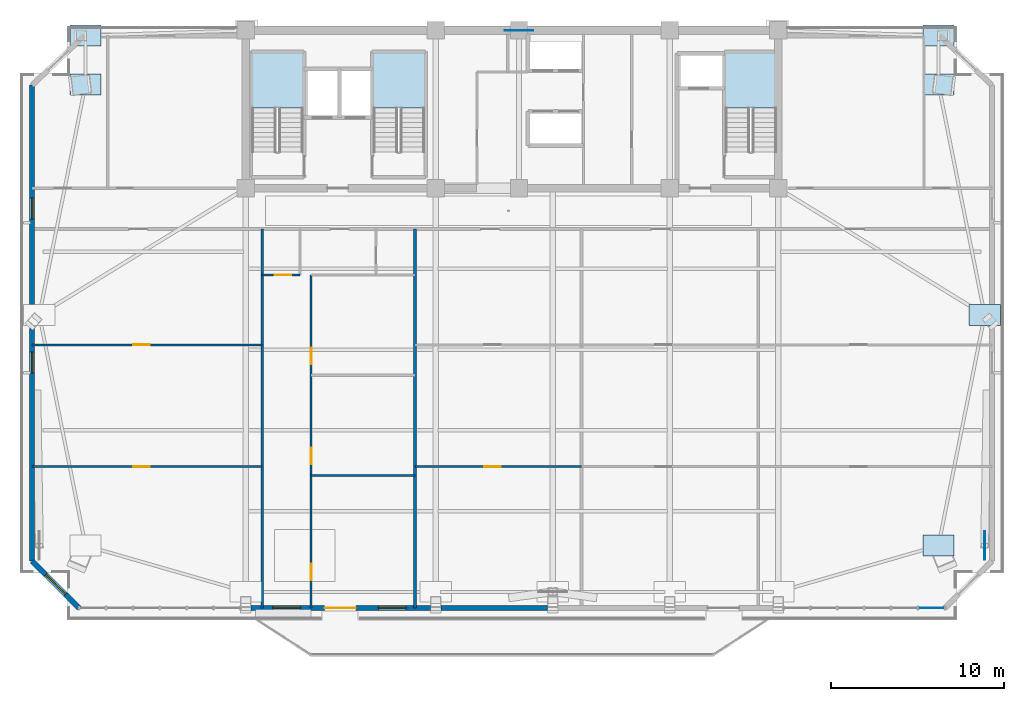
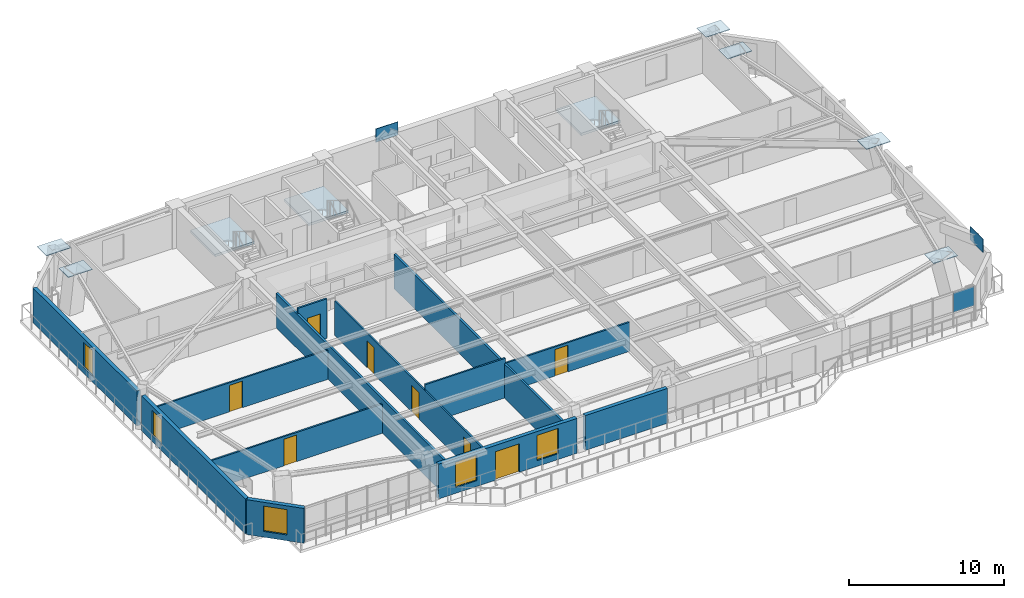
# One storey, part 8 of 16: 13 walls, 9 plates, 8 doors, 5 windows, 3 slabs, 13 openings, 4 elements without a shape of their own.
"""IFC4 building model written with IfcOpenShell, lengths in metres."""

from ifc_helpers import new_model, si_unit, direction, frame, frame_2d, origin, origin_2d, place, context, subcontext, project, spatial, polyline, rectangle, outline, extrude, source, transform, mapped, material, layer, layer_set, type_object, element, fill, aggregate, save


model = new_model("IFC4")

# Units and contexts
model_context = context("Model", 3, precision=1e-05, world=origin(), true_north=direction((0.0, 1.0)))
body_context = subcontext(model_context, "Body", "Model", "MODEL_VIEW")
ifc_project = project(units=[si_unit("LENGTHUNIT", "METRE"), si_unit("AREAUNIT", "SQUARE_METRE"), si_unit("VOLUMEUNIT", "CUBIC_METRE"), si_unit("PLANEANGLEUNIT", "RADIAN"), si_unit("MASSUNIT", "GRAM", prefix="KILO")], contexts=[model_context])

# Site, building, storey
site_placement = place(None, origin())
site = spatial("IfcSite", under=ifc_project, at=site_placement, CompositionType="ELEMENT")
building_placement = place(site_placement, origin())
building = spatial("IfcBuilding", under=site, at=building_placement, Name="Giltprow Tower", CompositionType="ELEMENT")
storey_placement = place(building_placement, frame((0.0, 0.0, 233.800048828125)))
storey = spatial("IfcBuildingStorey", under=building, at=storey_placement, Name="L59", CompositionType="ELEMENT", Elevation=233.800048828125)

# Stair, slab
ifc_material_1 = material(Name="Concrete C40", Category="concrete")
stair_type_1 = type_object("IfcStairType", Name="STR-ST-1", PredefinedType="HALF_TURN_STAIR", material=ifc_material_1)
stair_1_placement = place(storey_placement, origin())
stair_1 = element("IfcStair", 1, at=stair_1_placement, inside=storey, type_object=stair_type_1, Name="L59 Core Exit Stair ST-1", PredefinedType="HALF_TURN_STAIR")
ifc_layer_1 = layer(ifc_material_1, 0.179931640625, Name="Concrete C40")
ifc_layer_set_1 = layer_set([ifc_layer_1], Name="Concrete C40")
slab_type_1 = type_object("IfcSlabType", Name="SLD-ST-1", PredefinedType="LANDING", material=ifc_layer_set_1)
slab_1_placement = place(storey_placement, frame((0.0, 0.0, 1.52001953125)))
slab_1 = element("IfcSlab", 2, at=slab_1_placement, type_object=slab_type_1, Name="ST-1 landing 1", PredefinedType="LANDING", context=body_context, shape_type="SweptSolid", body=[
    extrude(outline(polyline([(23.159912109375, 42.070068359375), (23.159912109375, 45.25), (20.199951171875, 45.25), (20.199951171875, 42.070068359375), (23.159912109375, 42.070068359375)])), origin(), (0.0, 0.0, 1.0), 0.179931640625),
])
aggregate(stair_1, [slab_1])

stair_type_2 = type_object("IfcStairType", Name="STR-ST-2", PredefinedType="HALF_TURN_STAIR", material=ifc_material_1)
stair_2_placement = place(storey_placement, origin())
stair_2 = element("IfcStair", 3, at=stair_2_placement, inside=storey, type_object=stair_type_2, Name="L59 Core Exit Stair ST-2", PredefinedType="HALF_TURN_STAIR")
ifc_layer_2 = layer(ifc_material_1, 0.18798828125, Name="Concrete C40")
ifc_layer_set_2 = layer_set([ifc_layer_2], Name="Concrete C40")
slab_type_2 = type_object("IfcSlabType", Name="SLD-ST-2", PredefinedType="LANDING", material=ifc_layer_set_2)
slab_2_placement = place(storey_placement, frame((0.0, 0.0, 1.511962890625)))
slab_2 = element("IfcSlab", 4, at=slab_2_placement, type_object=slab_type_2, Name="ST-2 landing 1", PredefinedType="LANDING", context=body_context, shape_type="SweptSolid", body=[
    extrude(outline(polyline([(30.159912109375, 42.070068359375), (30.159912109375, 45.25), (27.199951171875, 45.25), (27.199951171875, 42.070068359375), (30.159912109375, 42.070068359375)])), origin(), (0.0, 0.0, 1.0), 0.18798828125),
])
aggregate(stair_2, [slab_2])

stair_type_3 = type_object("IfcStairType", Name="STR-ST-3", PredefinedType="HALF_TURN_STAIR", material=ifc_material_1)
stair_3_placement = place(storey_placement, origin())
stair_3 = element("IfcStair", 5, at=stair_3_placement, inside=storey, type_object=stair_type_3, Name="L59 Core Exit Stair ST-3", PredefinedType="HALF_TURN_STAIR")
ifc_layer_3 = layer(ifc_material_1, 0.196044921875, Name="Concrete C40")
ifc_layer_set_3 = layer_set([ifc_layer_3], Name="Concrete C40")
slab_type_3 = type_object("IfcSlabType", Name="SLD-ST-3", PredefinedType="LANDING", material=ifc_layer_set_3)
slab_3_placement = place(storey_placement, frame((0.0, 0.0, 1.50390625)))
slab_3 = element("IfcSlab", 6, at=slab_3_placement, type_object=slab_type_3, Name="ST-3 landing 1", PredefinedType="LANDING", context=body_context, shape_type="SweptSolid", body=[
    extrude(outline(polyline([(50.4599609375, 42.070068359375), (50.4599609375, 45.25), (47.5, 45.25), (47.5, 42.070068359375), (50.4599609375, 42.070068359375)])), origin(), (0.0, 0.0, 1.0), 0.196044921875),
])
aggregate(stair_3, [slab_3])

# Plates
ifc_material_2 = material(Name="Structural steel Q420GJC", Category="steel")
plate_type_1 = type_object("IfcPlateType", Name="PLT-NODE-CKN1", PredefinedType="USERDEFINED", material=ifc_material_2)
shared_shape_1 = source(origin(), body_context, "Body", "SweptSolid", [
    extrude(rectangle(XDim=1.800048828125, YDim=1.199951171875, at=origin_2d()), origin(), (0.0, 0.0, 1.0), 0.044921875),
])
for number, where, z_axis, x_axis, name in (
    (7, (59.791015625, 16.843017578125, 3.077392578125), (0.0, 0.0, 1.0), (1.0, 0.0, 0.0), "CKN1 Column Taper Splice Node L59-MC_SE"),
    (8, (10.60888671875, 43.43896484375, 3.077392578125), (0.0, 0.0, 1.0), (1.0, 0.0, 0.0), "CKN1 Column Taper Splice Node L59-MC_NW"),
    (9, (59.791015625, 43.43896484375, 3.077392578125), (0.0, 0.0, 1.0), (1.0, 0.0, 0.0), "CKN1 Column Taper Splice Node L59-MC_NE"),
    (10, (62.451904296875, 30.14111328125, 3.077392578125), (0.0, 0.0, 1.0), (1.0, 0.0, 0.0), "CKN1 Column Taper Splice Node L59-E_MID"),
    (11, (10.60888671875, 46.25, 3.077392578125), (0.0, 0.0, 1.0), (1.0, 0.0, 0.0), "CKN1 Column Taper Splice Node L59-N_W"),
    (12, (59.791015625, 46.25, 3.077392578125), (0.0, 0.0, 1.0), (1.0, 0.0, 0.0), "CKN1 Column Taper Splice Node L59-N_E"),
):
    element("IfcPlate", number, at=place(storey_placement, frame(where, z_axis=z_axis, x_axis=x_axis)), inside=storey, type_object=plate_type_1, Name=name, ObjectType="SPLICE", PredefinedType="USERDEFINED", context=body_context, shape_type="MappedRepresentation", body=[
        mapped(shared_shape_1, transform((0.0, 0.0, 0.0), x_axis=(1.0, 0.0, 0.0), y_axis=(0.0, 1.0, 0.0), z_axis=(0.0, 0.0, 1.0), scale=1.0)),
    ])
plate_type_2 = type_object("IfcPlateType", Name="PLT-NODE-MBN2", PredefinedType="USERDEFINED", material=ifc_material_2)
shared_shape_2 = source(origin(), body_context, "Body", "SweptSolid", [
    extrude(rectangle(XDim=1.64990234375, YDim=0.044921875, at=origin_2d()), origin(), (0.0, 0.0, 1.0), 1.050048828125),
])
for number, where, z_axis, x_axis, name in (
    (13, (35.60009765625, 46.550048828125, 2.73486328125), (0.0, 0.0, 1.0), (1.0, 0.0, 0.0), "Mega-Brace Node L59-N-LB"),
    (14, (62.451904296875, 16.843017578125, 2.875), (0.0, 0.0, 1.0), (0.0, 1.0, 0.0), "Mega-Brace Node L59-E-DB"),
):
    element("IfcPlate", number, at=place(storey_placement, frame(where, z_axis=z_axis, x_axis=x_axis)), inside=storey, type_object=plate_type_2, Name=name, ObjectType="GUSSET", PredefinedType="USERDEFINED", context=body_context, shape_type="MappedRepresentation", body=[
        mapped(shared_shape_2, transform((0.0, 0.0, 0.0), x_axis=(1.0, 0.0, 0.0), y_axis=(0.0, 1.0, 0.0), z_axis=(0.0, 0.0, 1.0), scale=1.0)),
    ])

# Curtain wall, plate
ifc_material_3 = material(Name="Anodized bronze", Category="metal")
ifc_layer_4 = layer(ifc_material_3, 0.179931640625, Name="Anodized bronze")
ifc_layer_set_4 = layer_set([ifc_layer_4], Name="Anodized bronze")
curtain_wall_type = type_object("IfcCurtainWallType", Name="CW-RES-SKY", PredefinedType="NOTDEFINED", material=ifc_layer_set_4)
curtain_wall_placement = place(storey_placement, origin())
curtain_wall = element("IfcCurtainWall", 15, at=curtain_wall_placement, inside=storey, type_object=curtain_wall_type, Name="L59 South Recessed Curtain Wall 6", PredefinedType="NOTDEFINED")
ifc_material_4 = material(Name="Insulated glass", Category="glass")
plate_type_3 = type_object("IfcPlateType", Name="CW-PANEL-IGU-28", PredefinedType="CURTAIN_PANEL", material=ifc_material_4)
shared_shape_3 = source(origin(), body_context, "Body", "SweptSolid", [
    extrude(rectangle(XDim=1.52197265625, YDim=0.028076171875, at=origin_2d()), origin(), (0.0, 0.0, 1.0), 1.527099609375),
])
plate_placement = place(storey_placement, frame((59.384033203125, 13.25, 1.16943359375), z_axis=(0.0, 0.0, 1.0), x_axis=(1.0, 0.0, 0.0)))
plate = element("IfcPlate", 16, at=plate_placement, type_object=plate_type_3, Name="L59 South Recessed Curtain Wall 6 Glazing Panel 6-2", PredefinedType="CURTAIN_PANEL", context=body_context, shape_type="MappedRepresentation", body=[
    mapped(shared_shape_3, transform((0.0, 0.0, 0.0), x_axis=(1.0, 0.0, 0.0), y_axis=(0.0, 1.0, 0.0), z_axis=(0.0, 0.0, 1.0), scale=1.0)),
])
aggregate(curtain_wall, [plate])

# Wall, opening, window
ifc_material_5 = material(Name="Precast concrete C40", Category="concrete")
ifc_layer_5 = layer(ifc_material_5, 0.300048828125, Name="Precast concrete C40")
ifc_layer_set_5 = layer_set([ifc_layer_5], Name="Precast concrete C40")
wall_type_1 = type_object("IfcWallType", Name="EW-NOTCH-CHAMFER-300", PredefinedType="SOLIDWALL", material=ifc_layer_set_5)
wall_1_placement = place(storey_placement, frame((7.532958984375, 15.95703125, 0.0), z_axis=(0.0, 0.0, 1.0), x_axis=(0.707106781187, -0.707106781187, 0.0)))
wall_1 = element("IfcWall", 17, at=wall_1_placement, inside=storey, type_object=wall_type_1, Name="L59 Corner Notch Wall SW", PredefinedType="SOLIDWALL", context=body_context, shape_type="SweptSolid", body=[
    extrude(rectangle(XDim=3.828369140625, YDim=0.300048828125, at=frame_2d((1.9140625, 0.0))), origin(), (0.0, 0.0, 1.0), 2.75),
])
opening_1_placement = place(wall_1_placement, frame((1.114013671875, 0.0, 0.449951171875)))
opening_1 = element("IfcOpeningElement", 18, at=opening_1_placement, cuts=wall_1, Name="Opening WN17", PredefinedType="OPENING", context=body_context, shape_type="SweptSolid", body=[
    extrude(rectangle(XDim=1.60009765625, YDim=2.0, at=frame_2d((0.800048828125, 1.0))), frame((0.0, 0.159912109375, 0.0), z_axis=(0.0, -1.0, 0.0), x_axis=(1.0, 0.0, 0.0)), (0.0, 0.0, 1.0), 0.320068359375),
])
window_type_1 = type_object("IfcWindowType", Name="WN-COR-1600x2000", PartitioningType="SINGLE_PANEL", PredefinedType="WINDOW", material=ifc_material_4)
shared_shape_4 = source(origin(), body_context, "Body", "SweptSolid", [
    extrude(rectangle(XDim=1.60009765625, YDim=2.0, at=frame_2d((0.800048828125, 1.0))), frame((0.0, 0.030029296875, 0.0), z_axis=(0.0, -1.0, 0.0), x_axis=(1.0, 0.0, 0.0)), (0.0, 0.0, 1.0), 0.06005859375),
])
window_1_placement = place(opening_1_placement, origin())
window_1 = element("IfcWindow", 19, at=window_1_placement, inside=storey, type_object=window_type_1, Name="L59 Corner Notch Window SW", OverallHeight=2.0, OverallWidth=1.60009765625, PartitioningType="SINGLE_PANEL", PredefinedType="WINDOW", context=body_context, shape_type="MappedRepresentation", body=[
    mapped(shared_shape_4, transform((0.0, 0.0, 0.0), x_axis=(1.0, 0.0, 0.0), y_axis=(0.0, 1.0, 0.0), z_axis=(0.0, 0.0, 1.0), scale=1.0)),
])
fill(opening_1, window_1)

# Wall, openings, windows, door
ifc_layer_6 = layer(ifc_material_5, 0.280029296875, Name="Precast concrete C40")
ifc_layer_set_6 = layer_set([ifc_layer_6], Name="Precast concrete C40")
wall_type_2 = type_object("IfcWallType", Name="EW-TOW-BRONZE-280", PredefinedType="SOLIDWALL", material=ifc_layer_set_6)
wall_2_placement = place(storey_placement, frame((20.14990234375, 13.25, 0.0), z_axis=(0.0, 0.0, 1.0), x_axis=(1.0, 0.0, 0.0)))
wall_2 = element("IfcWall", 20, at=wall_2_placement, inside=storey, type_object=wall_type_2, Name="L59 South Expressed Frame Wall 2", PredefinedType="SOLIDWALL", context=body_context, shape_type="SweptSolid", body=[
    extrude(rectangle(XDim=10.35009765625, YDim=0.280029296875, at=frame_2d((5.175048828125, 0.0))), origin(), (0.0, 0.0, 1.0), 2.75),
])
opening_2_placement = place(wall_2_placement, frame((4.25, 0.0, 0.0)))
opening_2 = element("IfcOpeningElement", 21, at=opening_2_placement, cuts=wall_2, Name="Opening ED25", PredefinedType="OPENING", context=body_context, shape_type="SweptSolid", body=[
    extrude(rectangle(XDim=1.800048828125, YDim=2.25, at=frame_2d((0.89990234375, 1.125))), frame((0.0, 0.14990234375, 0.0), z_axis=(0.0, -1.0, 0.0), x_axis=(1.0, 0.0, 0.0)), (0.0, 0.0, 1.0), 0.300048828125),
])
opening_3_placement = place(wall_2_placement, frame((1.27001953125, 0.0, 0.449951171875)))
opening_3 = element("IfcOpeningElement", 22, at=opening_3_placement, cuts=wall_2, Name="Opening WN17", PredefinedType="OPENING", context=body_context, shape_type="SweptSolid", body=[
    extrude(rectangle(XDim=1.60009765625, YDim=2.0, at=frame_2d((0.800048828125, 1.0))), frame((0.0, 0.14990234375, 0.0), z_axis=(0.0, -1.0, 0.0), x_axis=(1.0, 0.0, 0.0)), (0.0, 0.0, 1.0), 0.300048828125),
])
opening_4_placement = place(wall_2_placement, frame((7.35009765625, 0.0, 0.449951171875)))
opening_4 = element("IfcOpeningElement", 23, at=opening_4_placement, cuts=wall_2, Name="Opening WN17", PredefinedType="OPENING", context=body_context, shape_type="SweptSolid", body=[
    extrude(rectangle(XDim=1.60009765625, YDim=2.0, at=frame_2d((0.800048828125, 1.0))), frame((0.0, 0.14990234375, 0.0), z_axis=(0.0, -1.0, 0.0), x_axis=(1.0, 0.0, 0.0)), (0.0, 0.0, 1.0), 0.300048828125),
])
window_2_placement = place(opening_3_placement, origin())
window_2 = element("IfcWindow", 24, at=window_2_placement, inside=storey, type_object=window_type_1, Name="L59 South Window 2A", OverallHeight=2.0, OverallWidth=1.60009765625, PartitioningType="SINGLE_PANEL", PredefinedType="WINDOW", context=body_context, shape_type="MappedRepresentation", body=[
    mapped(shared_shape_4, transform((0.0, 0.0, 0.0), x_axis=(1.0, 0.0, 0.0), y_axis=(0.0, 1.0, 0.0), z_axis=(0.0, 0.0, 1.0), scale=1.0)),
])
fill(opening_3, window_2)
window_3_placement = place(opening_4_placement, origin())
window_3 = element("IfcWindow", 25, at=window_3_placement, inside=storey, type_object=window_type_1, Name="L59 South Window 2B", OverallHeight=2.0, OverallWidth=1.60009765625, PartitioningType="SINGLE_PANEL", PredefinedType="WINDOW", context=body_context, shape_type="MappedRepresentation", body=[
    mapped(shared_shape_4, transform((0.0, 0.0, 0.0), x_axis=(1.0, 0.0, 0.0), y_axis=(0.0, 1.0, 0.0), z_axis=(0.0, 0.0, 1.0), scale=1.0)),
])
fill(opening_4, window_3)
ifc_material_6 = material(Name="Anodized bronze and glass", Category="glass")
door_type_1 = type_object("IfcDoorType", Name="DR-BALC-SLIDE-1800", OperationType="SLIDING_TO_LEFT", PredefinedType="DOOR", material=ifc_material_6)
shared_shape_5 = source(origin(), body_context, "Body", "SweptSolid", [
    extrude(rectangle(XDim=1.800048828125, YDim=2.25, at=frame_2d((0.89990234375, 1.125))), frame((0.0, 0.02490234375, 0.0), z_axis=(0.0, -1.0, 0.0), x_axis=(1.0, 0.0, 0.0)), (0.0, 0.0, 1.0), 0.050048828125),
])
door_1_placement = place(opening_2_placement, origin())
door_1 = element("IfcDoor", 26, at=door_1_placement, inside=storey, type_object=door_type_1, Name="L59 Waterfront Balcony Sliding Door 1", OperationType="SLIDING_TO_LEFT", OverallHeight=2.25, OverallWidth=1.800048828125, PredefinedType="DOOR", context=body_context, shape_type="MappedRepresentation", body=[
    mapped(shared_shape_5, transform((0.0, 0.0, 0.0), x_axis=(1.0, 0.0, 0.0), y_axis=(0.0, 1.0, 0.0), z_axis=(0.0, 0.0, 1.0), scale=1.0)),
])
fill(opening_2, door_1)

# Wall
wall_3_placement = place(storey_placement, frame((31.10009765625, 13.25, 0.0), z_axis=(0.0, 0.0, 1.0), x_axis=(1.0, 0.0, 0.0)))
element("IfcWall", 27, at=wall_3_placement, inside=storey, type_object=wall_type_2, Name="L59 South Expressed Frame Wall 3", PredefinedType="SOLIDWALL", context=body_context, shape_type="SweptSolid", body=[
    extrude(rectangle(XDim=6.14990234375, YDim=0.280029296875, at=frame_2d((3.074951171875, 0.0))), origin(), (0.0, 0.0, 1.0), 2.75),
])

# Wall, opening, window
wall_4_placement = place(storey_placement, frame((7.532958984375, 15.95703125, 0.0), z_axis=(0.0, 0.0, 1.0), x_axis=(0.0, 1.0, 0.0)))
wall_4 = element("IfcWall", 28, at=wall_4_placement, inside=storey, type_object=wall_type_2, Name="L59 W Wing Masonry Wall 1", PredefinedType="SOLIDWALL", context=body_context, shape_type="SweptSolid", body=[
    extrude(rectangle(XDim=13.41796875, YDim=0.280029296875, at=frame_2d((6.708984375, 0.0))), origin(), (0.0, 0.0, 1.0), 2.75),
])
opening_5_placement = place(wall_4_placement, frame((10.837890625, 0.0, 0.449951171875)))
opening_5 = element("IfcOpeningElement", 29, at=opening_5_placement, cuts=wall_4, Name="Opening WN11", PredefinedType="OPENING", context=body_context, shape_type="SweptSolid", body=[
    extrude(rectangle(XDim=1.199951171875, YDim=2.0, at=frame_2d((0.60009765625, 1.0))), frame((0.0, 0.14990234375, 0.0), z_axis=(0.0, -1.0, 0.0), x_axis=(1.0, 0.0, 0.0)), (0.0, 0.0, 1.0), 0.300048828125),
])
window_type_2 = type_object("IfcWindowType", Name="WN-LANCET-1200x2000", PartitioningType="SINGLE_PANEL", PredefinedType="WINDOW", material=ifc_material_4)
shared_shape_6 = source(origin(), body_context, "Body", "SweptSolid", [
    extrude(rectangle(XDim=1.199951171875, YDim=2.0, at=frame_2d((0.60009765625, 1.0))), frame((0.0, 0.030029296875, 0.0), z_axis=(0.0, -1.0, 0.0), x_axis=(1.0, 0.0, 0.0)), (0.0, 0.0, 1.0), 0.06005859375),
])
window_4_placement = place(opening_5_placement, origin())
window_4 = element("IfcWindow", 30, at=window_4_placement, inside=storey, type_object=window_type_2, Name="L59 W Wing Window 1-1", OverallHeight=2.0, OverallWidth=1.199951171875, PartitioningType="SINGLE_PANEL", PredefinedType="WINDOW", context=body_context, shape_type="MappedRepresentation", body=[
    mapped(shared_shape_6, transform((0.0, 0.0, 0.0), x_axis=(1.0, 0.0, 0.0), y_axis=(0.0, 1.0, 0.0), z_axis=(0.0, 0.0, 1.0), scale=1.0)),
])
fill(opening_5, window_4)

wall_5_placement = place(storey_placement, frame((7.532958984375, 29.97509765625, 0.0), z_axis=(0.0, 0.0, 1.0), x_axis=(0.0, 1.0, 0.0)))
wall_5 = element("IfcWall", 31, at=wall_5_placement, inside=storey, type_object=wall_type_2, Name="L59 W Wing Masonry Wall 2", PredefinedType="SOLIDWALL", context=body_context, shape_type="SweptSolid", body=[
    extrude(rectangle(XDim=13.41796875, YDim=0.280029296875, at=frame_2d((6.708984375, 0.0))), origin(), (0.0, 0.0, 1.0), 2.75),
])
opening_6_placement = place(wall_5_placement, frame((5.705078125, 0.0, 0.449951171875)))
opening_6 = element("IfcOpeningElement", 32, at=opening_6_placement, cuts=wall_5, Name="Opening WN11", PredefinedType="OPENING", context=body_context, shape_type="SweptSolid", body=[
    extrude(rectangle(XDim=1.199951171875, YDim=2.0, at=frame_2d((0.60009765625, 1.0))), frame((0.0, 0.14990234375, 0.0), z_axis=(0.0, -1.0, 0.0), x_axis=(1.0, 0.0, 0.0)), (0.0, 0.0, 1.0), 0.300048828125),
])
window_5_placement = place(opening_6_placement, origin())
window_5 = element("IfcWindow", 33, at=window_5_placement, inside=storey, type_object=window_type_2, Name="L59 W Wing Window 2-1", OverallHeight=2.0, OverallWidth=1.199951171875, PartitioningType="SINGLE_PANEL", PredefinedType="WINDOW", context=body_context, shape_type="MappedRepresentation", body=[
    mapped(shared_shape_6, transform((0.0, 0.0, 0.0), x_axis=(1.0, 0.0, 0.0), y_axis=(0.0, 1.0, 0.0), z_axis=(0.0, 0.0, 1.0), scale=1.0)),
])
fill(opening_6, window_5)

# Walls
ifc_material_7 = material(Name="Gypsum stud partition", Category="gypsum")
ifc_layer_7 = layer(ifc_material_7, 0.159912109375, Name="Gypsum stud partition")
ifc_layer_set_7 = layer_set([ifc_layer_7], Name="Gypsum stud partition")
wall_type_3 = type_object("IfcWallType", Name="IW-DEMISE-160", PredefinedType="PARTITIONING", material=ifc_layer_set_7)
for number, where, z_axis, x_axis, name in (
    (34, (20.800048828125, 13.25, 0.0), (0.0, 0.0, 1.0), (0.0, 1.0, 0.0), "L59 Apartment Party Wall 1"),
    (35, (29.60009765625, 13.25, 0.0), (0.0, 0.0, 1.0), (0.0, 1.0, 0.0), "L59 Apartment Party Wall 2"),
):
    element("IfcWall", number, at=place(storey_placement, frame(where, z_axis=z_axis, x_axis=x_axis)), inside=storey, type_object=wall_type_3, Name=name, PredefinedType="PARTITIONING", context=body_context, shape_type="SweptSolid", body=[
        extrude(rectangle(XDim=21.85009765625, YDim=0.159912109375, at=frame_2d((10.925048828125, 0.0))), origin(), (0.0, 0.0, 1.0), 2.704833984375),
    ])

# Wall, opening, door
ifc_layer_8 = layer(ifc_material_7, 0.1201171875, Name="Gypsum stud partition")
ifc_layer_set_8 = layer_set([ifc_layer_8], Name="Gypsum stud partition")
wall_type_4 = type_object("IfcWallType", Name="IW-ROOM-120", PredefinedType="PARTITIONING", material=ifc_layer_set_8)
wall_6_placement = place(storey_placement, frame((7.532958984375, 21.39892578125, 0.0), z_axis=(0.0, 0.0, 1.0), x_axis=(1.0, 0.0, 0.0)))
wall_6 = element("IfcWall", 36, at=wall_6_placement, inside=storey, type_object=wall_type_4, Name="L59 Special Split 1", PredefinedType="PARTITIONING", context=body_context, shape_type="SweptSolid", body=[
    extrude(rectangle(XDim=13.26708984375, YDim=0.1201171875, at=frame_2d((6.633544921875, 0.0))), origin(), (0.0, 0.0, 1.0), 2.304931640625),
])
opening_7_placement = place(wall_6_placement, frame((5.842041015625, 0.0, 0.0)))
opening_7 = element("IfcOpeningElement", 37, at=opening_7_placement, cuts=wall_6, Name="Opening ID11", PredefinedType="OPENING", context=body_context, shape_type="SweptSolid", body=[
    extrude(rectangle(XDim=0.949951171875, YDim=2.10009765625, at=frame_2d((0.47509765625, 1.050048828125))), frame((0.0, 0.070068359375, 0.0), z_axis=(0.0, -1.0, 0.0), x_axis=(1.0, 0.0, 0.0)), (0.0, 0.0, 1.0), 0.14013671875),
])
ifc_material_8 = material(Name="Engineered timber", Category="wood")
door_type_2 = type_object("IfcDoorType", Name="DR-ROOM-950", OperationType="SINGLE_SWING_RIGHT", PredefinedType="DOOR", material=ifc_material_8)
shared_shape_7 = source(origin(), body_context, "Body", "SweptSolid", [
    extrude(rectangle(XDim=0.949951171875, YDim=2.10009765625, at=frame_2d((0.47509765625, 1.050048828125))), frame((0.0, 0.02490234375, 0.0), z_axis=(0.0, -1.0, 0.0), x_axis=(1.0, 0.0, 0.0)), (0.0, 0.0, 1.0), 0.050048828125),
])
door_2_placement = place(opening_7_placement, origin())
door_2 = element("IfcDoor", 38, at=door_2_placement, inside=storey, type_object=door_type_2, Name="L59 Harbour Lounge Salon South Door", OperationType="SINGLE_SWING_RIGHT", OverallHeight=2.10009765625, OverallWidth=0.949951171875, PredefinedType="DOOR", context=body_context, shape_type="MappedRepresentation", body=[
    mapped(shared_shape_7, transform((0.0, 0.0, 0.0), x_axis=(1.0, 0.0, 0.0), y_axis=(0.0, 1.0, 0.0), z_axis=(0.0, 0.0, 1.0), scale=1.0)),
])
fill(opening_7, door_2)

wall_7_placement = place(storey_placement, frame((7.532958984375, 28.416015625, 0.0), z_axis=(0.0, 0.0, 1.0), x_axis=(1.0, 0.0, 0.0)))
wall_7 = element("IfcWall", 39, at=wall_7_placement, inside=storey, type_object=wall_type_4, Name="L59 Special Split 2", PredefinedType="PARTITIONING", context=body_context, shape_type="SweptSolid", body=[
    extrude(rectangle(XDim=13.26708984375, YDim=0.1201171875, at=frame_2d((6.633544921875, 0.0))), origin(), (0.0, 0.0, 1.0), 2.304931640625),
])
opening_8_placement = place(wall_7_placement, frame((5.842041015625, 0.0, 0.0)))
opening_8 = element("IfcOpeningElement", 40, at=opening_8_placement, cuts=wall_7, Name="Opening ID11", PredefinedType="OPENING", context=body_context, shape_type="SweptSolid", body=[
    extrude(rectangle(XDim=0.949951171875, YDim=2.10009765625, at=frame_2d((0.47509765625, 1.050048828125))), frame((0.0, 0.070068359375, 0.0), z_axis=(0.0, -1.0, 0.0), x_axis=(1.0, 0.0, 0.0)), (0.0, 0.0, 1.0), 0.14013671875),
])
door_3_placement = place(opening_8_placement, origin())
door_3 = element("IfcDoor", 41, at=door_3_placement, inside=storey, type_object=door_type_2, Name="L59 Harbour Lounge Salon Mid Door", OperationType="SINGLE_SWING_LEFT", OverallHeight=2.10009765625, OverallWidth=0.949951171875, PredefinedType="DOOR", context=body_context, shape_type="MappedRepresentation", body=[
    mapped(shared_shape_7, transform((0.0, 0.0, 0.0), x_axis=(1.0, 0.0, 0.0), y_axis=(0.0, 1.0, 0.0), z_axis=(0.0, 0.0, 1.0), scale=1.0)),
])
fill(opening_8, door_3)

# Wall, openings, doors
wall_8_placement = place(storey_placement, frame((23.6201171875, 13.25, 0.0), z_axis=(0.0, 0.0, 1.0), x_axis=(0.0, 1.0, 0.0)))
wall_8 = element("IfcWall", 42, at=wall_8_placement, inside=storey, type_object=wall_type_4, Name="L59 Unit 1 Bedroom Wall", PredefinedType="PARTITIONING", context=body_context, shape_type="SweptSolid", body=[
    extrude(rectangle(XDim=19.199951171875, YDim=0.1201171875, at=frame_2d((9.60009765625, 0.0))), origin(), (0.0, 0.0, 1.0), 2.704833984375),
])
opening_9_placement = place(wall_8_placement, frame((1.60205078125, 0.0, 0.0)))
opening_9 = element("IfcOpeningElement", 43, at=opening_9_placement, cuts=wall_8, Name="Opening ID11", PredefinedType="OPENING", context=body_context, shape_type="SweptSolid", body=[
    extrude(rectangle(XDim=0.949951171875, YDim=2.10009765625, at=frame_2d((0.47509765625, 1.050048828125))), frame((0.0, 0.070068359375, 0.0), z_axis=(0.0, -1.0, 0.0), x_axis=(1.0, 0.0, 0.0)), (0.0, 0.0, 1.0), 0.14013671875),
])
opening_10_placement = place(wall_8_placement, frame((8.27587890625, 0.0, 0.0)))
opening_10 = element("IfcOpeningElement", 44, at=opening_10_placement, cuts=wall_8, Name="Opening ID11", PredefinedType="OPENING", context=body_context, shape_type="SweptSolid", body=[
    extrude(rectangle(XDim=0.949951171875, YDim=2.10009765625, at=frame_2d((0.47509765625, 1.050048828125))), frame((0.0, 0.070068359375, 0.0), z_axis=(0.0, -1.0, 0.0), x_axis=(1.0, 0.0, 0.0)), (0.0, 0.0, 1.0), 0.14013671875),
])
opening_11_placement = place(wall_8_placement, frame((14.05810546875, 0.0, 0.0)))
opening_11 = element("IfcOpeningElement", 45, at=opening_11_placement, cuts=wall_8, Name="Opening ID11", PredefinedType="OPENING", context=body_context, shape_type="SweptSolid", body=[
    extrude(rectangle(XDim=0.949951171875, YDim=2.10009765625, at=frame_2d((0.47509765625, 1.050048828125))), frame((0.0, 0.070068359375, 0.0), z_axis=(0.0, -1.0, 0.0), x_axis=(1.0, 0.0, 0.0)), (0.0, 0.0, 1.0), 0.14013671875),
])
door_4_placement = place(opening_9_placement, origin())
door_4 = element("IfcDoor", 46, at=door_4_placement, inside=storey, type_object=door_type_2, Name="L59 Unit 1 Primary Bedroom Door", OperationType="SINGLE_SWING_RIGHT", OverallHeight=2.10009765625, OverallWidth=0.949951171875, PredefinedType="DOOR", context=body_context, shape_type="MappedRepresentation", body=[
    mapped(shared_shape_7, transform((0.0, 0.0, 0.0), x_axis=(1.0, 0.0, 0.0), y_axis=(0.0, 1.0, 0.0), z_axis=(0.0, 0.0, 1.0), scale=1.0)),
])
fill(opening_9, door_4)
door_5_placement = place(opening_10_placement, origin())
door_5 = element("IfcDoor", 47, at=door_5_placement, inside=storey, type_object=door_type_2, Name="L59 Unit 1 Second Bedroom Door", OperationType="SINGLE_SWING_LEFT", OverallHeight=2.10009765625, OverallWidth=0.949951171875, PredefinedType="DOOR", context=body_context, shape_type="MappedRepresentation", body=[
    mapped(shared_shape_7, transform((0.0, 0.0, 0.0), x_axis=(1.0, 0.0, 0.0), y_axis=(0.0, 1.0, 0.0), z_axis=(0.0, 0.0, 1.0), scale=1.0)),
])
fill(opening_10, door_5)
door_6_placement = place(opening_11_placement, origin())
door_6 = element("IfcDoor", 48, at=door_6_placement, inside=storey, type_object=door_type_2, Name="L59 Unit 1 Third Bedroom Door", OperationType="SINGLE_SWING_RIGHT", OverallHeight=2.10009765625, OverallWidth=0.949951171875, PredefinedType="DOOR", context=body_context, shape_type="MappedRepresentation", body=[
    mapped(shared_shape_7, transform((0.0, 0.0, 0.0), x_axis=(1.0, 0.0, 0.0), y_axis=(0.0, 1.0, 0.0), z_axis=(0.0, 0.0, 1.0), scale=1.0)),
])
fill(opening_11, door_6)

# Wall
wall_9_placement = place(storey_placement, frame((23.6201171875, 20.885986328125, 0.0), z_axis=(0.0, 0.0, 1.0), x_axis=(1.0, 0.0, 0.0)))
element("IfcWall", 49, at=wall_9_placement, inside=storey, type_object=wall_type_4, Name="L59 Unit 1 Bedroom Split 1", PredefinedType="PARTITIONING", context=body_context, shape_type="SweptSolid", body=[
    extrude(rectangle(XDim=5.97998046875, YDim=0.1201171875, at=frame_2d((2.989990234375, 0.0))), origin(), (0.0, 0.0, 1.0), 3.119873046875),
])

# Wall, opening, door
wall_10_placement = place(storey_placement, frame((29.60009765625, 21.39892578125, 0.0), z_axis=(0.0, 0.0, 1.0), x_axis=(1.0, 0.0, 0.0)))
wall_10 = element("IfcWall", 50, at=wall_10_placement, inside=storey, type_object=wall_type_4, Name="L59 Special Split 1", PredefinedType="PARTITIONING", context=body_context, shape_type="SweptSolid", body=[
    extrude(rectangle(XDim=9.599853515625, YDim=0.1201171875, at=frame_2d((4.7998046875, 0.0))), origin(), (0.0, 0.0, 1.0), 2.304931640625),
])
opening_12_placement = place(wall_10_placement, frame((4.006103515625, 0.0, 0.0)))
opening_12 = element("IfcOpeningElement", 51, at=opening_12_placement, cuts=wall_10, Name="Opening ID11", PredefinedType="OPENING", context=body_context, shape_type="SweptSolid", body=[
    extrude(rectangle(XDim=0.949951171875, YDim=2.10009765625, at=frame_2d((0.47509765625, 1.050048828125))), frame((0.0, 0.070068359375, 0.0), z_axis=(0.0, -1.0, 0.0), x_axis=(1.0, 0.0, 0.0)), (0.0, 0.0, 1.0), 0.14013671875),
])
door_7_placement = place(opening_12_placement, origin())
door_7 = element("IfcDoor", 52, at=door_7_placement, inside=storey, type_object=door_type_2, Name="L59 Residents Sky Club Lounge South Door", OperationType="SINGLE_SWING_LEFT", OverallHeight=2.10009765625, OverallWidth=0.949951171875, PredefinedType="DOOR", context=body_context, shape_type="MappedRepresentation", body=[
    mapped(shared_shape_7, transform((0.0, 0.0, 0.0), x_axis=(1.0, 0.0, 0.0), y_axis=(0.0, 1.0, 0.0), z_axis=(0.0, 0.0, 1.0), scale=1.0)),
])
fill(opening_12, door_7)

ifc_material_9 = material(Name="Concrete C30", Category="concrete")
ifc_layer_9 = layer(ifc_material_9, 0.1298828125, Name="Concrete C30")
ifc_layer_set_9 = layer_set([ifc_layer_9], Name="Concrete C30")
wall_type_5 = type_object("IfcWallType", Name="IW-WET-130", PredefinedType="PARTITIONING", material=ifc_layer_set_9)
wall_11_placement = place(storey_placement, frame((20.800048828125, 32.449951171875, 0.0), z_axis=(0.0, 0.0, 1.0), x_axis=(1.0, 0.0, 0.0)))
wall_11 = element("IfcWall", 53, at=wall_11_placement, inside=storey, type_object=wall_type_5, Name="L59 Unit 1 Kitchen South Wall", PredefinedType="PARTITIONING", context=body_context, shape_type="SweptSolid", body=[
    extrude(rectangle(XDim=2.169921875, YDim=0.1298828125, at=frame_2d((1.0849609375, 0.0))), origin(), (0.0, 0.0, 1.0), 3.119873046875),
])
opening_13_placement = place(wall_11_placement, frame((0.72998046875, 0.0, 0.0)))
opening_13 = element("IfcOpeningElement", 54, at=opening_13_placement, cuts=wall_11, Name="Opening ID11", PredefinedType="OPENING", context=body_context, shape_type="SweptSolid", body=[
    extrude(rectangle(XDim=0.949951171875, YDim=2.10009765625, at=frame_2d((0.47509765625, 1.050048828125))), frame((0.0, 0.074951171875, 0.0), z_axis=(0.0, -1.0, 0.0), x_axis=(1.0, 0.0, 0.0)), (0.0, 0.0, 1.0), 0.14990234375),
])
door_8_placement = place(opening_13_placement, origin())
door_8 = element("IfcDoor", 55, at=door_8_placement, inside=storey, type_object=door_type_2, Name="L59 Unit 1 Kitchen Door", OperationType="SINGLE_SWING_RIGHT", OverallHeight=2.10009765625, OverallWidth=0.949951171875, PredefinedType="DOOR", context=body_context, shape_type="MappedRepresentation", body=[
    mapped(shared_shape_7, transform((0.0, 0.0, 0.0), x_axis=(1.0, 0.0, 0.0), y_axis=(0.0, 1.0, 0.0), z_axis=(0.0, 0.0, 1.0), scale=1.0)),
])
fill(opening_13, door_8)

save(model, "model.ifc")
